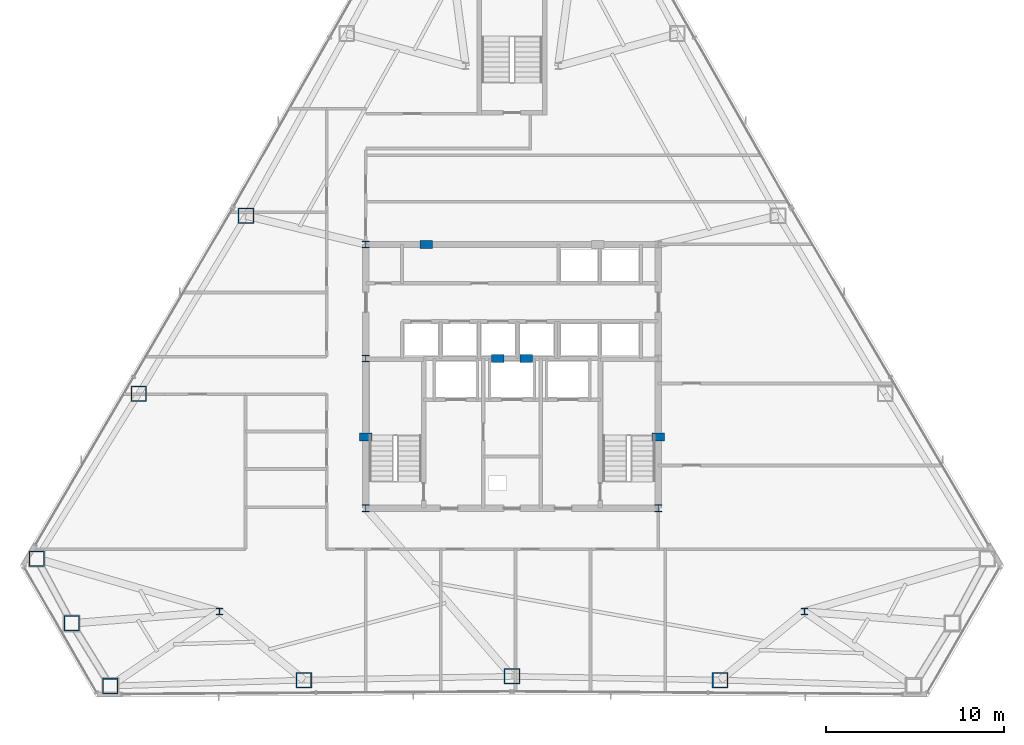
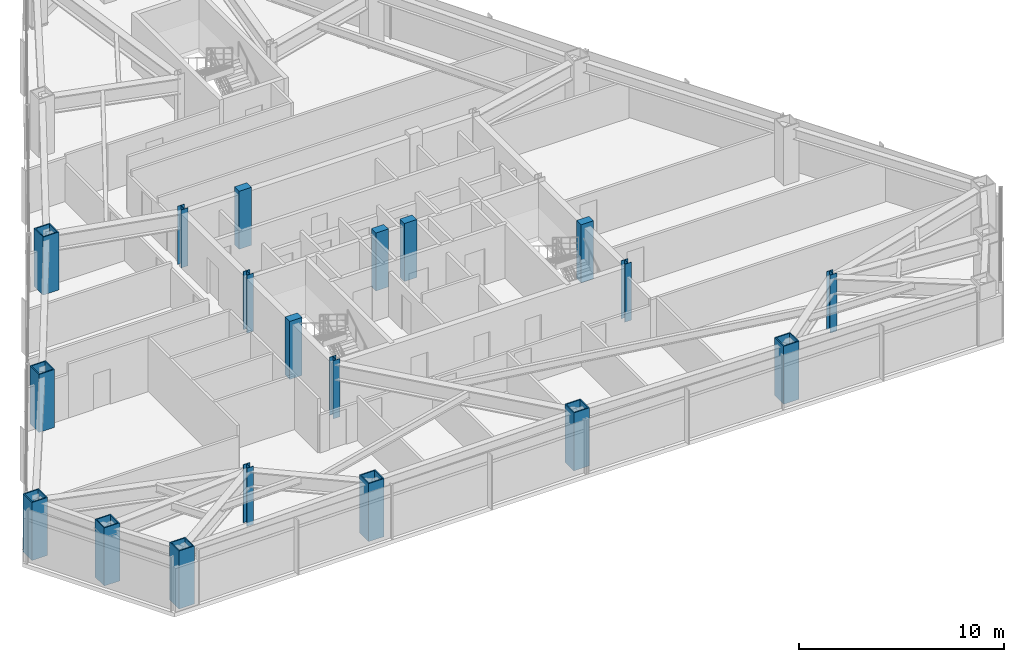
# One storey, part 1 of 13: 19 columns.
"""IFC4 building model written with IfcOpenShell, lengths in metres."""

from ifc_helpers import new_model, si_unit, direction, frame, origin, origin_2d, place, context, subcontext, project, spatial, rectangle, hollow_rectangle, i_section, extrude, material, material_profile, profile_set, type_object, element, save


model = new_model("IFC4")

# Units and contexts
model_context = context("Model", 3, precision=1e-05, world=origin(), true_north=direction((0.0, 1.0)))
body_context = subcontext(model_context, "Body", "Model", "MODEL_VIEW")
ifc_project = project(units=[si_unit("LENGTHUNIT", "METRE"), si_unit("AREAUNIT", "SQUARE_METRE"), si_unit("VOLUMEUNIT", "CUBIC_METRE"), si_unit("PLANEANGLEUNIT", "RADIAN"), si_unit("MASSUNIT", "GRAM", prefix="KILO")], contexts=[model_context])

# Site, building, storey
site_placement = place(None, origin())
site = spatial("IfcSite", under=ifc_project, at=site_placement, CompositionType="ELEMENT")
building_placement = place(site_placement, origin())
building = spatial("IfcBuilding", under=site, at=building_placement, Name="Varakhsha Concourse Tower", CompositionType="ELEMENT")
storey_placement = place(building_placement, frame((0.0, 0.0, 133.25)))
storey = spatial("IfcBuildingStorey", under=building, at=storey_placement, Name="L38", CompositionType="ELEMENT", Elevation=133.25)

# Columns
ifc_material_1 = material(Name="Structural Steel ASTM A992 Grade 50", Category="steel")
ifc_material_profile_1 = material_profile(ifc_material_1, i_section(OverallWidth=0.3740234375, OverallDepth=0.3720703125, WebThickness=0.01611328125, FlangeThickness=0.02587890625, at=origin_2d()), Name="W14X132")
ifc_profile_set_1 = profile_set([ifc_material_profile_1], Name="Structural Steel ASTM A992 Grade 50")
column_type_1 = type_object("IfcColumnType", Name="CL-CORE-W14X132", PredefinedType="COLUMN", material=ifc_profile_set_1)
for number, where, z_axis, x_axis, name in (
    (1, (31.800048828125, 16.39990234375, 0.0), (0.0, 0.0, 1.0), (1.0, 0.0, 0.0), "L38 Core Column CC-SW"),
    (2, (48.199951171875, 16.39990234375, 0.0), (0.0, 0.0, 1.0), (1.0, 0.0, 0.0), "L38 Core Column CC-SE"),
    (3, (31.800048828125, 24.800048828125, 0.0), (0.0, 0.0, 1.0), (1.0, 0.0, 0.0), "L38 Core Column CC-MW"),
    (4, (31.800048828125, 31.199951171875, 0.0), (0.0, 0.0, 1.0), (1.0, 0.0, 0.0), "L38 Core Column CC-NW"),
    (5, (23.60009765625, 10.60009765625, 0.0), (0.0, 0.0, 1.0), (1.0, 0.0, 0.0), "L38 Core Column SS-W"),
    (6, (56.39990234375, 10.60009765625, 0.0), (0.0, 0.0, 1.0), (1.0, 0.0, 0.0), "L38 Core Column SS-E"),
):
    element("IfcColumn", number, at=place(storey_placement, frame(where, z_axis=z_axis, x_axis=x_axis)), inside=storey, type_object=column_type_1, Name=name, PredefinedType="COLUMN", context=body_context, shape_type="SweptSolid", body=[
        extrude(i_section(OverallWidth=0.3740234375, OverallDepth=0.3720703125, WebThickness=0.01611328125, FlangeThickness=0.02587890625, at=origin_2d()), origin(), (0.0, 0.0, 1.0), 3.449951171875),
    ])
ifc_material_2 = material(Name="Concrete fc 65 MPa", Category="concrete")
ifc_material_profile_2 = material_profile(ifc_material_2, rectangle(XDim=0.699951171875, YDim=0.449951171875, at=origin_2d()), Name="RC 700x450")
ifc_profile_set_2 = profile_set([ifc_material_profile_2], Name="Concrete fc 65 MPa")
column_type_2 = type_object("IfcColumnType", Name="CL-PIL-700X450", PredefinedType="PILASTER", material=ifc_profile_set_2)
for number, where, z_axis, x_axis, name in (
    (7, (31.800048828125, 20.39990234375, 0.0), (0.0, 0.0, 1.0), (1.0, 0.0, 0.0), "L38 Core Boundary Pilaster PIL-W1"),
    (8, (48.199951171875, 20.39990234375, 0.0), (0.0, 0.0, 1.0), (1.0, 0.0, 0.0), "L38 Core Boundary Pilaster PIL-E1"),
    (9, (35.199951171875, 31.199951171875, 0.0), (0.0, 0.0, 1.0), (1.0, 0.0, 0.0), "L38 Core Boundary Pilaster PIL-N1"),
    (10, (39.199951171875, 24.800048828125, 0.0), (0.0, 0.0, 1.0), (1.0, 0.0, 0.0), "L38 Core Boundary Pilaster PIL-M1"),
    (11, (40.800048828125, 24.800048828125, 0.0), (0.0, 0.0, 1.0), (1.0, 0.0, 0.0), "L38 Core Boundary Pilaster PIL-M2"),
):
    element("IfcColumn", number, at=place(storey_placement, frame(where, z_axis=z_axis, x_axis=x_axis)), inside=storey, type_object=column_type_2, Name=name, PredefinedType="PILASTER", context=body_context, shape_type="SweptSolid", body=[
        extrude(rectangle(XDim=0.699951171875, YDim=0.449951171875, at=origin_2d()), origin(), (0.0, 0.0, 1.0), 3.449951171875),
    ])
ifc_material_3 = material(Name="Structural Steel ASTM A572 Grade 50", Category="steel")
ifc_material_profile_3 = material_profile(ifc_material_3, hollow_rectangle(XDim=0.8798828125, YDim=0.8798828125, WallThickness=0.06005859375, at=origin_2d()), Name="BOX 880x880x60")
ifc_profile_set_3 = profile_set([ifc_material_profile_3], Name="Structural Steel ASTM A572 Grade 50")
column_type_3 = type_object("IfcColumnType", Name="CL-TUBE-880", PredefinedType="COLUMN", material=ifc_profile_set_3)
for number, where, z_axis, x_axis, name in (
    (12, (25.07861328125, 32.81494140625, 0.0), (0.0, 0.0, 1.0), (1.0, 0.0, 0.0), "L38 Framed-Tube Column TC05"),
    (13, (19.06103515625, 22.814453125, 0.0), (0.0, 0.0, 1.0), (1.0, 0.0, 0.0), "L38 Framed-Tube Column TC06"),
    (14, (13.341796875, 13.572998046875, 0.0), (0.0, 0.0, 1.0), (1.0, 0.0, 0.0), "L38 Framed-Tube Column TC07"),
    (15, (15.299560546875, 9.939208984375, 0.0), (0.0, 0.0, 1.0), (1.0, 0.0, 0.0), "L38 Framed-Tube Column TC08"),
    (16, (17.4677734375, 6.4267578125, 0.0), (0.0, 0.0, 1.0), (1.0, 0.0, 0.0), "L38 Framed-Tube Column TC09"),
    (17, (28.33056640625, 6.759033203125, 0.0), (0.0, 0.0, 1.0), (1.0, 0.0, 0.0), "L38 Framed-Tube Column TC10"),
    (18, (40.0, 6.97021484375, 0.0), (0.0, 0.0, 1.0), (1.0, 0.0, 0.0), "L38 Framed-Tube Column TC11"),
    (19, (51.66943359375, 6.759033203125, 0.0), (0.0, 0.0, 1.0), (1.0, 0.0, 0.0), "L38 Framed-Tube Column TC12"),
):
    element("IfcColumn", number, at=place(storey_placement, frame(where, z_axis=z_axis, x_axis=x_axis)), inside=storey, type_object=column_type_3, Name=name, PredefinedType="COLUMN", context=body_context, shape_type="SweptSolid", body=[
        extrude(hollow_rectangle(XDim=0.8798828125, YDim=0.8798828125, WallThickness=0.06005859375, at=origin_2d()), origin(), (0.0, 0.0, 1.0), 3.449951171875),
    ])

save(model, "model.ifc")
